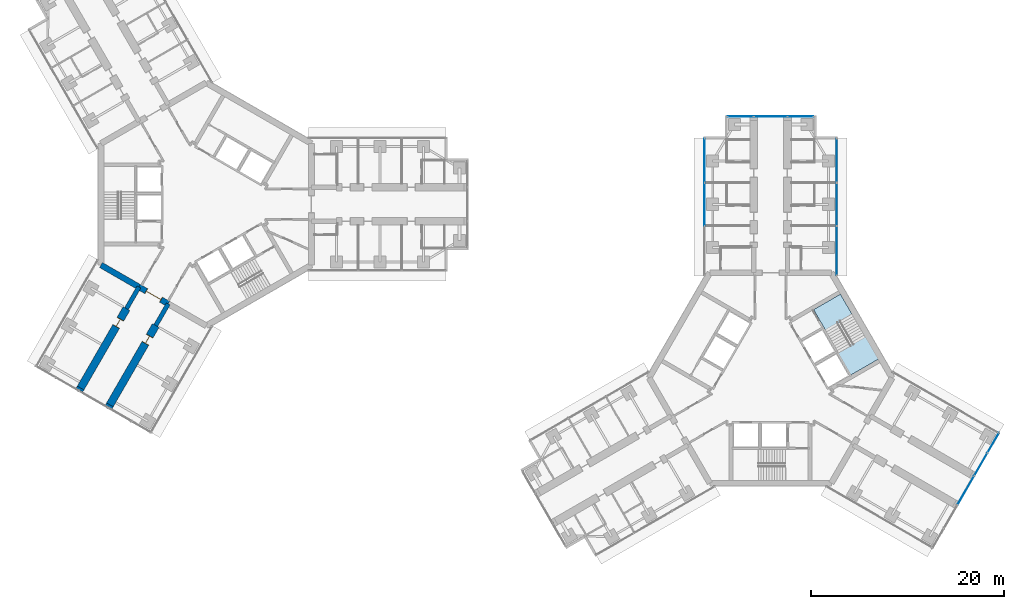
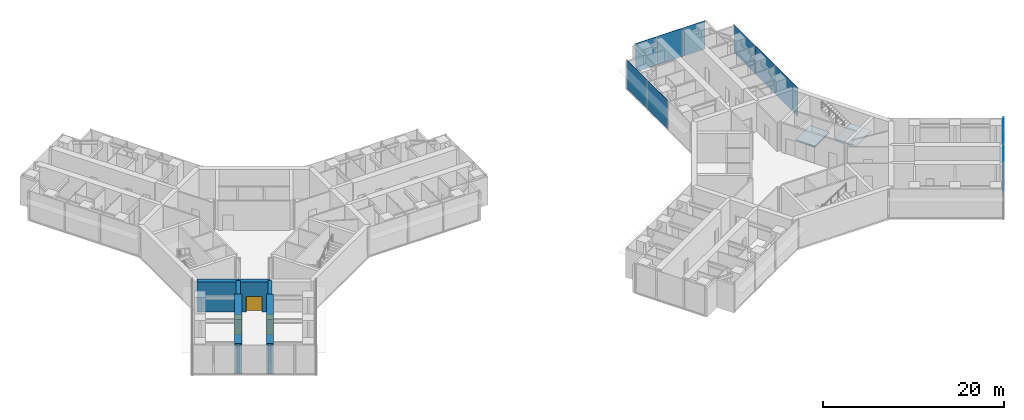
# One storey, part 14 of 23: 11 plates, 8 walls, 3 doors, 2 slabs, 3 openings, 5 elements without a shape of their own.
"""IFC4 building model written with IfcOpenShell, lengths in metres."""

from ifc_helpers import new_model, si_unit, direction, frame, frame_2d, origin, origin_2d, place, context, subcontext, project, spatial, polyline, rectangle, outline, extrude, material, layer, layer_set, type_object, element, fill, aggregate, save


model = new_model("IFC4")

# Units and contexts
model_context = context("Model", 3, precision=1e-05, world=origin(), true_north=direction((0.0, 1.0)))
body_context = subcontext(model_context, "Body", "Model", "MODEL_VIEW")
ifc_project = project(units=[si_unit("LENGTHUNIT", "METRE"), si_unit("AREAUNIT", "SQUARE_METRE"), si_unit("VOLUMEUNIT", "CUBIC_METRE"), si_unit("PLANEANGLEUNIT", "RADIAN"), si_unit("MASSUNIT", "GRAM", prefix="KILO")], contexts=[model_context])

# Site, building, storey
site_placement = place(None, origin())
site = spatial("IfcSite", under=ifc_project, at=site_placement, CompositionType="ELEMENT")
building_placement = place(site_placement, origin())
building = spatial("IfcBuilding", under=site, at=building_placement, Name="Upepo Twin Towers", CompositionType="ELEMENT")
storey_placement = place(building_placement, frame((0.0, 0.0, 145.5)))
storey = spatial("IfcBuildingStorey", under=building, at=storey_placement, Name="L35", CompositionType="ELEMENT", Elevation=145.5)

# Curtain wall, plates
ifc_material_1 = material(Name="Aluminium and fritted glass", Category="aluminium")
curtain_wall_type = type_object("IfcCurtainWallType", Name="Tower curtain wall TW2, fritted glass", PredefinedType="NOTDEFINED", material=ifc_material_1)
curtain_wall_1_placement = place(storey_placement, origin())
curtain_wall_1 = element("IfcCurtainWall", 1, at=curtain_wall_1_placement, inside=storey, type_object=curtain_wall_type, Name="T2 L35 wing A flank L curtain wall", PredefinedType="NOTDEFINED")
ifc_material_2 = material(Name="Ceramic-fritted laminated glass", Category="glass")
ifc_layer_1 = layer(ifc_material_2, 0.031982421875)
ifc_layer_set_1 = layer_set([ifc_layer_1], Name="Fritted glass panel, 45 per cent dot frit, 32 mm double glazed")
plate_type_1 = type_object("IfcPlateType", Name="Fritted glass panel, 45 per cent dot frit, 32 mm double glazed", PredefinedType="CURTAIN_PANEL", material=ifc_layer_set_1)
plate_1_placement = place(storey_placement, frame((51.64990234375, 0.0, 0.14990234375), z_axis=(0.0, 0.0, 1.0), x_axis=(0.0, 1.0, 0.0)))
plate_1 = element("IfcPlate", 2, at=plate_1_placement, type_object=plate_type_1, Name="T2 L35 wing A flank L curtain wall panel 2", PredefinedType="CURTAIN_PANEL", context=body_context, shape_type="SweptSolid", body=[
    extrude(rectangle(XDim=4.43505859375, YDim=0.031982421875, at=origin_2d()), origin(), (0.0, 0.0, 1.0), 3.85009765625),
])
plate_2_placement = place(storey_placement, frame((51.64990234375, 4.53369140625, 0.14990234375), z_axis=(0.0, 0.0, 1.0), x_axis=(0.0, 1.0, 0.0)))
plate_2 = element("IfcPlate", 3, at=plate_2_placement, type_object=plate_type_1, Name="T2 L35 wing A flank L curtain wall panel 3", PredefinedType="CURTAIN_PANEL", context=body_context, shape_type="SweptSolid", body=[
    extrude(rectangle(XDim=4.50244140625, YDim=0.031982421875, at=origin_2d()), origin(), (0.0, 0.0, 1.0), 3.85009765625),
])
aggregate(curtain_wall_1, [plate_1, plate_2])

curtain_wall_2_placement = place(storey_placement, origin())
curtain_wall_2 = element("IfcCurtainWall", 4, at=curtain_wall_2_placement, inside=storey, type_object=curtain_wall_type, Name="T2 L35 wing A flank R curtain wall", PredefinedType="NOTDEFINED")
plate_3_placement = place(storey_placement, frame((65.35009765625, 4.53369140625, 0.14990234375), z_axis=(0.0, 0.0, 1.0), x_axis=(0.0, -1.0, 0.0)))
plate_3 = element("IfcPlate", 5, at=plate_3_placement, type_object=plate_type_1, Name="T2 L35 wing A flank R curtain wall panel 1", PredefinedType="CURTAIN_PANEL", context=body_context, shape_type="SweptSolid", body=[
    extrude(rectangle(XDim=4.50244140625, YDim=0.031982421875, at=origin_2d()), origin(), (0.0, 0.0, 1.0), 3.85009765625),
])
plate_4_placement = place(storey_placement, frame((65.35009765625, 0.0, 0.14990234375), z_axis=(0.0, 0.0, 1.0), x_axis=(0.0, -1.0, 0.0)))
plate_4 = element("IfcPlate", 6, at=plate_4_placement, type_object=plate_type_1, Name="T2 L35 wing A flank R curtain wall panel 2", PredefinedType="CURTAIN_PANEL", context=body_context, shape_type="SweptSolid", body=[
    extrude(rectangle(XDim=4.43505859375, YDim=0.031982421875, at=origin_2d()), origin(), (0.0, 0.0, 1.0), 3.85009765625),
])
plate_5_placement = place(storey_placement, frame((65.35009765625, -4.815185546875, 0.14990234375), z_axis=(0.0, 0.0, 1.0), x_axis=(0.0, -1.0, 0.0)))
plate_5 = element("IfcPlate", 7, at=plate_5_placement, type_object=plate_type_1, Name="T2 L35 wing A flank R curtain wall panel 3", PredefinedType="CURTAIN_PANEL", context=body_context, shape_type="SweptSolid", body=[
    extrude(rectangle(XDim=5.0654296875, YDim=0.031982421875, at=origin_2d()), origin(), (0.0, 0.0, 1.0), 3.85009765625),
])
aggregate(curtain_wall_2, [plate_3, plate_4, plate_5])

# Curtain wall, plate
curtain_wall_3_placement = place(storey_placement, origin())
curtain_wall_3 = element("IfcCurtainWall", 8, at=curtain_wall_3_placement, inside=storey, type_object=curtain_wall_type, Name="T2 L35 wing A nose curtain wall", PredefinedType="NOTDEFINED")
plate_6_placement = place(storey_placement, frame((58.5, 9.10009765625, 0.14990234375), z_axis=(0.0, 0.0, 1.0), x_axis=(-1.0, 0.0, 0.0)))
plate_6 = element("IfcPlate", 9, at=plate_6_placement, type_object=plate_type_1, Name="T2 L35 wing A nose curtain wall panel 2", PredefinedType="CURTAIN_PANEL", context=body_context, shape_type="SweptSolid", body=[
    extrude(rectangle(XDim=3.43505859375, YDim=0.031982421875, at=origin_2d()), origin(), (0.0, 0.0, 1.0), 3.85009765625),
])

# Curtain wall, plates
curtain_wall_4_placement = place(storey_placement, origin())
curtain_wall_4 = element("IfcCurtainWall", 10, at=curtain_wall_4_placement, inside=storey, type_object=curtain_wall_type, Name="T2 L35 wing C nose curtain wall", PredefinedType="NOTDEFINED")
plate_7_placement = place(storey_placement, frame((78.7216796875, -29.675048828125, 0.14990234375), z_axis=(0.0, 0.0, 1.0), x_axis=(0.499999972355, 0.866025419745, 0.0)))
plate_7 = element("IfcPlate", 11, at=plate_7_placement, type_object=plate_type_1, Name="T2 L35 wing C nose curtain wall panel 3", PredefinedType="CURTAIN_PANEL", context=body_context, shape_type="SweptSolid", body=[
    extrude(rectangle(XDim=3.43505859375, YDim=0.031982421875, at=origin_2d()), origin(), (0.0, 0.0, 1.0), 3.85009765625),
])
plate_8_placement = place(storey_placement, frame((80.2841796875, -26.96875, 0.14990234375), z_axis=(0.0, 0.0, 1.0), x_axis=(0.499999972355, 0.866025419745, 0.0)))
plate_8 = element("IfcPlate", 12, at=plate_8_placement, type_object=plate_type_1, Name="T2 L35 wing C nose curtain wall panel 4", PredefinedType="CURTAIN_PANEL", context=body_context, shape_type="SweptSolid", body=[
    extrude(rectangle(XDim=2.68505859375, YDim=0.031982421875, at=origin_2d()), origin(), (0.0, 0.0, 1.0), 3.85009765625),
])

# Plate
ifc_material_3 = material(Name="Clear laminated glass in opening sash", Category="glass")
ifc_layer_2 = layer(ifc_material_3, 0.031982421875)
ifc_layer_set_2 = layer_set([ifc_layer_2], Name="Operable glass panel, 32 mm double glazed")
plate_type_2 = type_object("IfcPlateType", Name="Operable glass panel, 32 mm double glazed", PredefinedType="CURTAIN_PANEL", material=ifc_layer_set_2)
plate_9_placement = place(storey_placement, frame((61.608642578125, 9.10009765625, 0.14990234375), z_axis=(0.0, 0.0, 1.0), x_axis=(-1.0, 0.0, 0.0)))
plate_9 = element("IfcPlate", 13, at=plate_9_placement, type_object=plate_type_2, Name="T2 L35 wing A nose curtain wall panel 1", PredefinedType="CURTAIN_PANEL", context=body_context, shape_type="SweptSolid", body=[
    extrude(rectangle(XDim=2.652587890625, YDim=0.031982421875, at=origin_2d()), origin(), (0.0, 0.0, 1.0), 3.85009765625),
])

plate_10_placement = place(storey_placement, frame((55.391357421875, 9.10009765625, 0.14990234375), z_axis=(0.0, 0.0, 1.0), x_axis=(-1.0, 0.0, 0.0)))
plate_10 = element("IfcPlate", 14, at=plate_10_placement, type_object=plate_type_2, Name="T2 L35 wing A nose curtain wall panel 3", PredefinedType="CURTAIN_PANEL", context=body_context, shape_type="SweptSolid", body=[
    extrude(rectangle(XDim=2.652587890625, YDim=0.031982421875, at=origin_2d()), origin(), (0.0, 0.0, 1.0), 3.85009765625),
])

aggregate(curtain_wall_3, [plate_9, plate_6, plate_10])

plate_11_placement = place(storey_placement, frame((81.576171875, -24.73095703125, 0.14990234375), z_axis=(0.0, 0.0, 1.0), x_axis=(0.499999972355, 0.866025419745, 0.0)))
plate_11 = element("IfcPlate", 15, at=plate_11_placement, type_object=plate_type_2, Name="T2 L35 wing C nose curtain wall panel 5", PredefinedType="CURTAIN_PANEL", context=body_context, shape_type="SweptSolid", body=[
    extrude(rectangle(XDim=2.3525390625, YDim=0.031982421875, at=origin_2d()), origin(), (0.0, 0.0, 1.0), 3.85009765625),
])

aggregate(curtain_wall_4, [plate_7, plate_8, plate_11])

# Stair, slabs
ifc_material_4 = material(Name="Concrete C40/50", Category="concrete")
stair_type = type_object("IfcStairType", Name="Core stair, two flights", PredefinedType="HALF_TURN_STAIR", material=ifc_material_4)
stair_placement = place(storey_placement, origin())
stair = element("IfcStair", 16, at=stair_placement, inside=storey, type_object=stair_type, Name="T2 stair S2 L35", PredefinedType="HALF_TURN_STAIR")
ifc_material_5 = material(Name="Concrete C40/50", Category="concrete")
ifc_layer_3 = layer(ifc_material_5, 0.199951171875)
ifc_layer_set_3 = layer_set([ifc_layer_3], Name="Concrete C40/50")
slab_type = type_object("IfcSlabType", Name="Stair landing 200 RC", PredefinedType="LANDING", material=ifc_layer_set_3)
slab_1_placement = place(storey_placement, frame((0.0, 0.0, -0.199951171875)))
slab_1 = element("IfcSlab", 17, at=slab_1_placement, type_object=slab_type, Name="Stair S2 landing 1", PredefinedType="LANDING", context=body_context, shape_type="SweptSolid", body=[
    extrude(outline(polyline([(64.198486328125, -13.0703125), (66.97705078125, -11.466064453125), (65.737060546875, -9.318359375), (62.95849609375, -10.922607421875), (64.198486328125, -13.0703125)])), origin(), (0.0, 0.0, 1.0), 0.199951171875),
])
slab_2_placement = place(storey_placement, frame((0.0, 0.0, 1.800048828125)))
slab_2 = element("IfcSlab", 18, at=slab_2_placement, type_object=slab_type, Name="Stair S2 landing 2", PredefinedType="LANDING", context=body_context, shape_type="SweptSolid", body=[
    extrude(outline(polyline([(66.77197265625, -17.7275390625), (69.7236328125, -16.0234375), (68.36376953125, -13.667724609375), (65.411865234375, -15.371826171875), (66.77197265625, -17.7275390625)])), origin(), (0.0, 0.0, 1.0), 0.199951171875),
])
aggregate(stair, [slab_1, slab_2])

# Walls
ifc_material_6 = material(Name="Dense concrete blockwork", Category="masonry")
ifc_layer_4 = layer(ifc_material_6, 0.800048828125)
ifc_layer_set_4 = layer_set([ifc_layer_4], Name="Buttress closer 800, blockwork with fire-stopping to the curtain wall")
wall_type_1 = type_object("IfcWallType", Name="Buttress closer 800, blockwork with fire-stopping to the curtain wall", PredefinedType="PARTITIONING", material=ifc_layer_set_4)
for number, where, z_axis, x_axis, name in (
    (19, (-9.984375, -20.793701171875, 0.0), (0.0, 0.0, 1.0), (-0.500342721131, -0.865827443207, 0.0), "T1 L35 wing C buttress closer L"),
    (20, (-13.015625, -19.043701171875, 0.0), (0.0, 0.0, 1.0), (-0.500342721131, -0.865827443207, 0.0), "T1 L35 wing C buttress closer R"),
):
    element("IfcWall", number, at=place(storey_placement, frame(where, z_axis=z_axis, x_axis=x_axis)), inside=storey, type_object=wall_type_1, Name=name, PredefinedType="PARTITIONING", context=body_context, shape_type="SweptSolid", body=[
        extrude(rectangle(XDim=0.249755859375, YDim=0.800048828125, at=frame_2d((0.125, 0.0))), origin(), (0.0, 0.0, 1.0), 3.800048828125),
    ])
ifc_material_7 = material(Name="Concrete C60/75", Category="concrete")
ifc_layer_5 = layer(ifc_material_7, 0.449951171875)
ifc_layer_set_5 = layer_set([ifc_layer_5], Name="Concrete C60/75")
wall_type_2 = type_object("IfcWallType", Name="Buttress wall 450 RC", PredefinedType="SHEAR", material=ifc_layer_set_5)
for number, where, z_axis, x_axis, name in (
    (21, (-3.938720703125, -10.32177734375, 0.0), (0.0, 0.0, 1.0), (-0.499918158782, -0.866072649678, 0.0), "T1 wing C buttress wall L"),
    (22, (-6.9697265625, -8.57177734375, 0.0), (0.0, 0.0, 1.0), (-0.499988811324, -0.866031863473, 0.0), "T1 wing C buttress wall R"),
):
    element("IfcWall", number, at=place(storey_placement, frame(where, z_axis=z_axis, x_axis=x_axis)), inside=storey, type_object=wall_type_2, Name=name, PredefinedType="SHEAR", context=body_context, shape_type="SweptSolid", body=[
        extrude(rectangle(XDim=2.591796875, YDim=0.449951171875, at=frame_2d((1.2958984375, 0.0))), origin(), (0.0, 0.0, 1.0), 4.0),
    ])

# Wall, opening, door
ifc_material_8 = material(Name="Concrete C60/75", Category="concrete")
ifc_layer_6 = layer(ifc_material_8, 0.800048828125)
ifc_layer_set_6 = layer_set([ifc_layer_6], Name="Concrete C60/75")
wall_type_3 = type_object("IfcWallType", Name="Buttress wall 800 RC", PredefinedType="SHEAR", material=ifc_layer_set_6)
wall_1_placement = place(storey_placement, frame((-5.234375, -12.56640625, 0.0), z_axis=(0.0, 0.0, 1.0), x_axis=(-0.499997557548, -0.86602681393, 0.0)))
wall_1 = element("IfcWall", 23, at=wall_1_placement, inside=storey, type_object=wall_type_3, Name="T1 wing C buttress wall L part 2", PredefinedType="SHEAR", context=body_context, shape_type="SweptSolid", body=[
    extrude(rectangle(XDim=9.5, YDim=0.800048828125, at=frame_2d((4.75, 0.0))), origin(), (0.0, 0.0, 1.0), 4.0),
])
opening_1_placement = place(wall_1_placement, frame((1.25, 0.0, 0.0)))
opening_1 = element("IfcOpeningElement", 24, at=opening_1_placement, cuts=wall_1, Name="Opening D14", PredefinedType="OPENING", context=body_context, shape_type="SweptSolid", body=[
    extrude(rectangle(XDim=0.89990234375, YDim=2.10009765625, at=frame_2d((0.449951171875, 1.050048828125))), frame((0.0, 0.409912109375, 0.0), z_axis=(0.0, -1.0, 0.0), x_axis=(1.0, 0.0, 0.0)), (0.0, 0.0, 1.0), 0.820068359375),
])
ifc_material_9 = material(Name="Timber doorset", Category="wood")
door_type_1 = type_object("IfcDoorType", Name="Office door 900 FD30", OperationType="SINGLE_SWING_LEFT", PredefinedType="DOOR", material=ifc_material_9)
door_1_placement = place(opening_1_placement, origin())
door_1 = element("IfcDoor", 25, at=door_1_placement, inside=storey, type_object=door_type_1, Name="T1 L35 postgraduate office door", OperationType="SINGLE_SWING_LEFT", OverallHeight=2.10009765625, OverallWidth=0.89990234375, PredefinedType="DOOR", context=body_context, shape_type="SweptSolid", body=[
    extrude(rectangle(XDim=0.81990234375, YDim=2.06009765625, at=frame_2d((0.449951171875, 1.030029296875))), frame((0.0, 0.02490234375, 0.0), z_axis=(0.0, -1.0, 0.0), x_axis=(1.0, 0.0, 0.0)), (0.0, 0.0, 1.0), 0.050048828125),
    extrude(rectangle(XDim=0.04, YDim=2.10009765625, at=frame_2d((0.02001953125, 1.050048828125))), frame((0.0, 0.39990234375, 0.0), z_axis=(0.0, -1.0, 0.0), x_axis=(1.0, 0.0, 0.0)), (0.0, 0.0, 1.0), 0.799560546875),
    extrude(rectangle(XDim=0.04, YDim=2.10009765625, at=frame_2d((0.8798828125, 1.050048828125))), frame((0.0, 0.39990234375, 0.0), z_axis=(0.0, -1.0, 0.0), x_axis=(1.0, 0.0, 0.0)), (0.0, 0.0, 1.0), 0.799560546875),
    extrude(rectangle(XDim=0.81990234375, YDim=0.04, at=frame_2d((0.449951171875, 2.080078125))), frame((0.0, 0.39990234375, 0.0), z_axis=(0.0, -1.0, 0.0), x_axis=(1.0, 0.0, 0.0)), (0.0, 0.0, 1.0), 0.799560546875),
])
fill(opening_1, door_1)

wall_2_placement = place(storey_placement, frame((-8.265625, -10.81640625, 0.0), z_axis=(0.0, 0.0, 1.0), x_axis=(-0.499997557548, -0.86602681393, 0.0)))
wall_2 = element("IfcWall", 26, at=wall_2_placement, inside=storey, type_object=wall_type_3, Name="T1 wing C buttress wall R part 2", PredefinedType="SHEAR", context=body_context, shape_type="SweptSolid", body=[
    extrude(rectangle(XDim=9.5, YDim=0.800048828125, at=frame_2d((4.75, 0.0))), origin(), (0.0, 0.0, 1.0), 4.0),
])
opening_2_placement = place(wall_2_placement, frame((1.25, 0.0, 0.0)))
opening_2 = element("IfcOpeningElement", 27, at=opening_2_placement, cuts=wall_2, Name="Opening D14", PredefinedType="OPENING", context=body_context, shape_type="SweptSolid", body=[
    extrude(rectangle(XDim=0.89990234375, YDim=2.10009765625, at=frame_2d((0.449951171875, 1.050048828125))), frame((0.0, 0.409912109375, 0.0), z_axis=(0.0, -1.0, 0.0), x_axis=(1.0, 0.0, 0.0)), (0.0, 0.0, 1.0), 0.820068359375),
])
door_2_placement = place(opening_2_placement, origin())
door_2 = element("IfcDoor", 28, at=door_2_placement, inside=storey, type_object=door_type_1, Name="T1 L35 postgraduate office door", OperationType="SINGLE_SWING_LEFT", OverallHeight=2.10009765625, OverallWidth=0.89990234375, PredefinedType="DOOR", context=body_context, shape_type="SweptSolid", body=[
    extrude(rectangle(XDim=0.81990234375, YDim=2.06009765625, at=frame_2d((0.449951171875, 1.030029296875))), frame((0.0, 0.02490234375, 0.0), z_axis=(0.0, -1.0, 0.0), x_axis=(1.0, 0.0, 0.0)), (0.0, 0.0, 1.0), 0.050048828125),
    extrude(rectangle(XDim=0.04, YDim=2.10009765625, at=frame_2d((0.02001953125, 1.050048828125))), frame((0.0, 0.39990234375, 0.0), z_axis=(0.0, -1.0, 0.0), x_axis=(1.0, 0.0, 0.0)), (0.0, 0.0, 1.0), 0.799560546875),
    extrude(rectangle(XDim=0.04, YDim=2.10009765625, at=frame_2d((0.8798828125, 1.050048828125))), frame((0.0, 0.39990234375, 0.0), z_axis=(0.0, -1.0, 0.0), x_axis=(1.0, 0.0, 0.0)), (0.0, 0.0, 1.0), 0.799560546875),
    extrude(rectangle(XDim=0.81990234375, YDim=0.04, at=frame_2d((0.449951171875, 2.080078125))), frame((0.0, 0.39990234375, 0.0), z_axis=(0.0, -1.0, 0.0), x_axis=(1.0, 0.0, 0.0)), (0.0, 0.0, 1.0), 0.799560546875),
])
fill(opening_2, door_2)

# Wall
ifc_material_10 = material(Name="Concrete C60/75", Category="concrete")
ifc_layer_7 = layer(ifc_material_10, 0.60009765625)
ifc_layer_set_7 = layer_set([ifc_layer_7], Name="Concrete C60/75")
wall_type_4 = type_object("IfcWallType", Name="Core wall 600 RC", PredefinedType="SHEAR", material=ifc_layer_set_7)
wall_3_placement = place(storey_placement, frame((-10.908447265625, -6.2978515625, 0.0), z_axis=(0.0, 0.0, 1.0), x_axis=(0.866034513004, -0.499984222037, 0.0)))
element("IfcWall", 29, at=wall_3_placement, inside=storey, type_object=wall_type_4, Name="T1 core wall 240 R", PredefinedType="SHEAR", context=body_context, shape_type="SweptSolid", body=[
    extrude(rectangle(XDim=4.548095703125, YDim=0.60009765625, at=frame_2d((2.27392578125, 0.0))), origin(), (0.0, 0.0, 1.0), 4.0),
])

# Wall, opening, door
wall_4_placement = place(storey_placement, frame((-6.9697265625, -8.57177734375, 0.0), z_axis=(0.0, 0.0, 1.0), x_axis=(0.866019471182, -0.500010275428, 0.0)))
wall_4 = element("IfcWall", 30, at=wall_4_placement, inside=storey, type_object=wall_type_4, Name="T1 core wall 240", PredefinedType="SHEAR", context=body_context, shape_type="SweptSolid", body=[
    extrude(rectangle(XDim=3.5, YDim=0.60009765625, at=frame_2d((1.75, 0.0))), origin(), (0.0, 0.0, 1.0), 4.0),
])
opening_3_placement = place(wall_4_placement, frame((0.85009765625, 0.0, 0.0)))
opening_3 = element("IfcOpeningElement", 31, at=opening_3_placement, cuts=wall_4, Name="Opening D2", PredefinedType="OPENING", context=body_context, shape_type="SweptSolid", body=[
    extrude(rectangle(XDim=1.800048828125, YDim=2.10009765625, at=frame_2d((0.89990234375, 1.050048828125))), frame((0.0, 0.31005859375, 0.0), z_axis=(0.0, -1.0, 0.0), x_axis=(1.0, 0.0, 0.0)), (0.0, 0.0, 1.0), 0.6201171875),
])
ifc_material_11 = material(Name="Timber doorset", Category="wood")
door_type_2 = type_object("IfcDoorType", Name="Corridor double door 1800 FD60", OperationType="DOUBLE_DOOR_DOUBLE_SWING", PredefinedType="DOOR", material=ifc_material_11)
door_3_placement = place(opening_3_placement, origin())
door_3 = element("IfcDoor", 32, at=door_3_placement, inside=storey, type_object=door_type_2, Name="T1 L35 wing C corridor door", OperationType="DOUBLE_DOOR_DOUBLE_SWING", OverallHeight=2.10009765625, OverallWidth=1.800048828125, PredefinedType="DOOR", context=body_context, shape_type="SweptSolid", body=[
    extrude(rectangle(XDim=1.720048828125, YDim=2.06009765625, at=frame_2d((0.89990234375, 1.030029296875))), frame((0.0, 0.02490234375, 0.0), z_axis=(0.0, -1.0, 0.0), x_axis=(1.0, 0.0, 0.0)), (0.0, 0.0, 1.0), 0.050048828125),
    extrude(rectangle(XDim=0.04, YDim=2.10009765625, at=frame_2d((0.02001953125, 1.050048828125))), frame((0.0, 0.2998046875, 0.0), z_axis=(0.0, -1.0, 0.0), x_axis=(1.0, 0.0, 0.0)), (0.0, 0.0, 1.0), 0.599609375),
    extrude(rectangle(XDim=0.04, YDim=2.10009765625, at=frame_2d((1.780029296875, 1.050048828125))), frame((0.0, 0.2998046875, 0.0), z_axis=(0.0, -1.0, 0.0), x_axis=(1.0, 0.0, 0.0)), (0.0, 0.0, 1.0), 0.599609375),
    extrude(rectangle(XDim=1.720048828125, YDim=0.04, at=frame_2d((0.89990234375, 2.080078125))), frame((0.0, 0.2998046875, 0.0), z_axis=(0.0, -1.0, 0.0), x_axis=(1.0, 0.0, 0.0)), (0.0, 0.0, 1.0), 0.599609375),
])
fill(opening_3, door_3)

save(model, "model.ifc")
